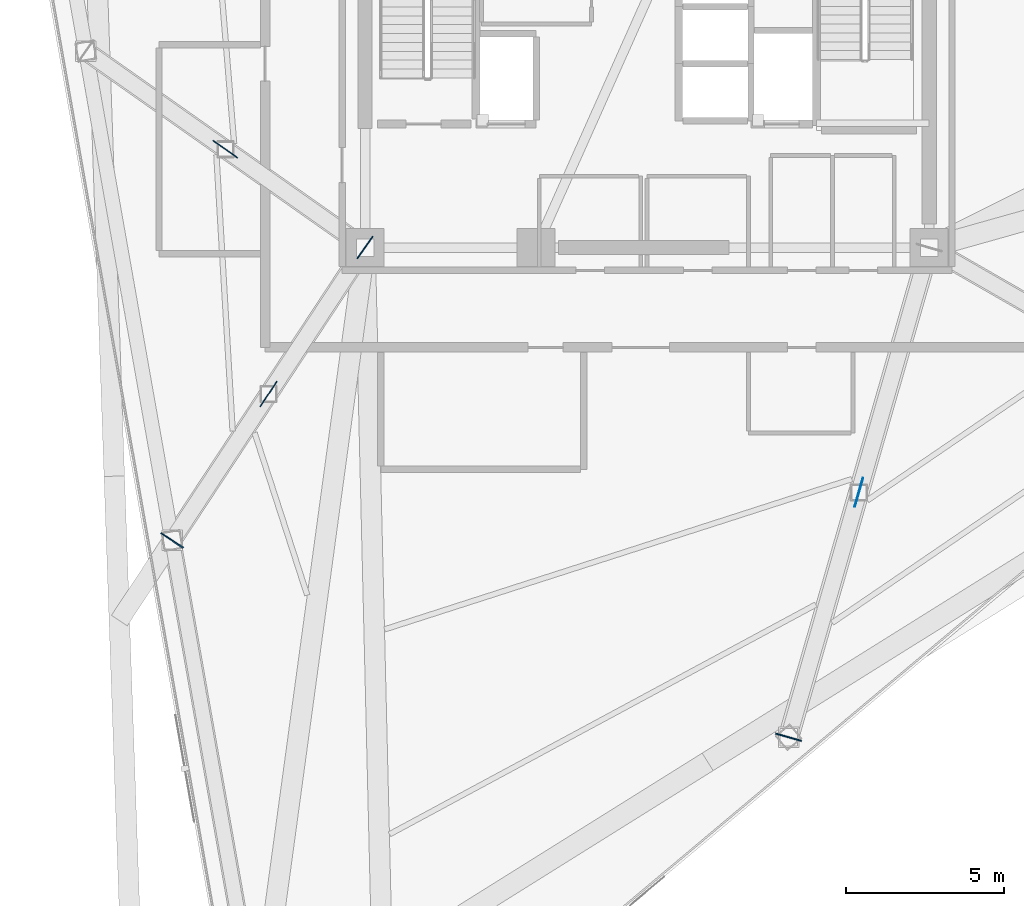
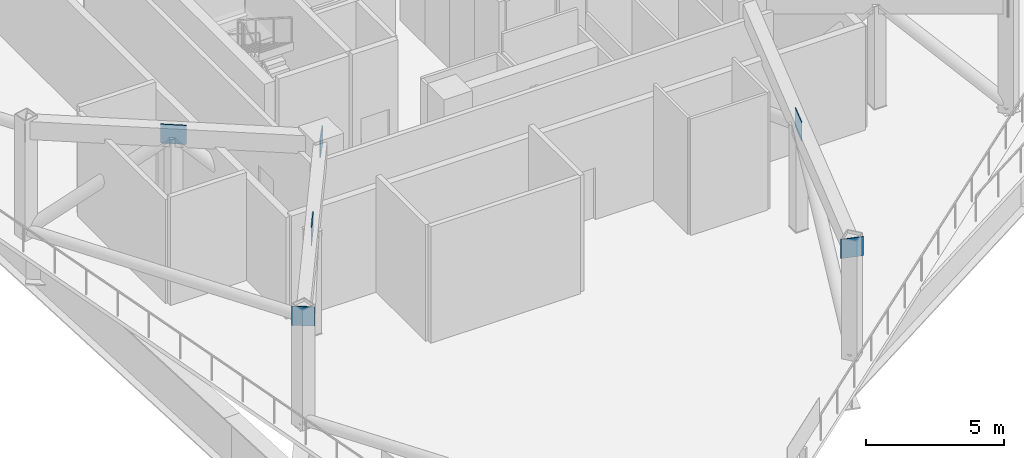
# One storey, part 3 of 15: 6 plates.
"""IFC4 building model written with IfcOpenShell, lengths in metres."""

from ifc_helpers import new_model, si_unit, direction, frame, origin, origin_2d, place, context, subcontext, project, spatial, rectangle, extrude, material, layer, layer_set, type_object, element, save


model = new_model("IFC4")

# Units and contexts
model_context = context("Model", 3, precision=1e-05, world=origin(), true_north=direction((0.0, 1.0)))
body_context = subcontext(model_context, "Body", "Model", "MODEL_VIEW")
ifc_project = project(units=[si_unit("LENGTHUNIT", "METRE"), si_unit("AREAUNIT", "SQUARE_METRE"), si_unit("VOLUMEUNIT", "CUBIC_METRE"), si_unit("PLANEANGLEUNIT", "RADIAN"), si_unit("MASSUNIT", "GRAM", prefix="KILO")], contexts=[model_context])

# Site, building, storey
site_placement = place(None, origin())
site = spatial("IfcSite", under=ifc_project, at=site_placement, CompositionType="ELEMENT")
building_placement = place(site_placement, origin())
building = spatial("IfcBuilding", under=site, at=building_placement, Name="Tharavind Bronze Gate", CompositionType="ELEMENT")
storey_placement = place(building_placement, frame((0.0, 0.0, 165.14990234375)))
storey = spatial("IfcBuildingStorey", under=building, at=storey_placement, Name="L42", CompositionType="ELEMENT", Elevation=165.14990234375)

# Plates
ifc_material = material(Name="Steel S460", Category="steel")
ifc_layer_1 = layer(ifc_material, 0.02490234375)
ifc_layer_set_1 = layer_set([ifc_layer_1], Name="Steel S460")
plate_type_1 = type_object("IfcPlateType", Name="STEEL END CAP SHEET 25", PredefinedType="SHEET", material=ifc_layer_set_1)
for number, where, z_axis, x_axis, name in (
    (1, (-8.89990234375, -7.60009765625, 4.3974609375), (0.0, 0.0, 1.0), (-0.81775009782, 0.575573433643, 0.0), "Steel end cap plate CAP-L42-OCH1A"),
    (2, (-14.98681640625, -16.841796875, 4.3974609375), (0.0, 0.0, 1.0), (0.550034793774, 0.835141739849, 0.0), "Steel end cap plate CAP-L42-OCH2B"),
    (3, (4.46337890625, -23.05078125, 4.3974609375), (0.0, 0.0, 1.0), (0.275994690729, 0.961159159915, 0.0), "Steel end cap plate CAP-L42-OCH3B"),
):
    element("IfcPlate", number, at=place(storey_placement, frame(where, z_axis=z_axis, x_axis=x_axis)), inside=storey, type_object=plate_type_1, Name=name, PredefinedType="SHEET", context=body_context, shape_type="SweptSolid", body=[
        extrude(rectangle(XDim=0.0400390625, YDim=0.844970703125, at=origin_2d()), origin(), (0.0, 0.0, 1.0), 0.844970703125),
    ])
ifc_layer_2 = layer(ifc_material, 0.028076171875)
ifc_layer_set_2 = layer_set([ifc_layer_2], Name="Steel S460")
plate_type_2 = type_object("IfcPlateType", Name="STEEL NODE GUSSET PLATE 28", PredefinedType="USERDEFINED", material=ifc_layer_set_2)
for number, where, z_axis, x_axis, name in (
    (4, (-13.304931640625, -4.49951171875, 4.39501953125), (0.0, 0.0, 1.0), (-0.81775009782, 0.575573433643, 0.0), "Node N2 outrigger truss gusset plate 1"),
    (5, (-11.943359375, -12.220703125, 4.39501953125), (0.0, 0.0, 1.0), (0.550034793774, 0.835141739849, 0.0), "Node N2 outrigger truss gusset plate 2"),
    (6, (6.681640625, -15.325439453125, 4.39501953125), (0.0, 0.0, 1.0), (0.275994690729, 0.961159159915, 0.0), "Node N2 outrigger truss gusset plate 3"),
):
    element("IfcPlate", number, at=place(storey_placement, frame(where, z_axis=z_axis, x_axis=x_axis)), inside=storey, type_object=plate_type_2, Name=name, ObjectType="GUSSET PLATE", PredefinedType="USERDEFINED", context=body_context, shape_type="SweptSolid", body=[
        extrude(rectangle(XDim=0.949951171875, YDim=0.028076171875, at=origin_2d()), origin(), (0.0, 0.0, 1.0), 0.85009765625),
    ])

save(model, "model.ifc")
